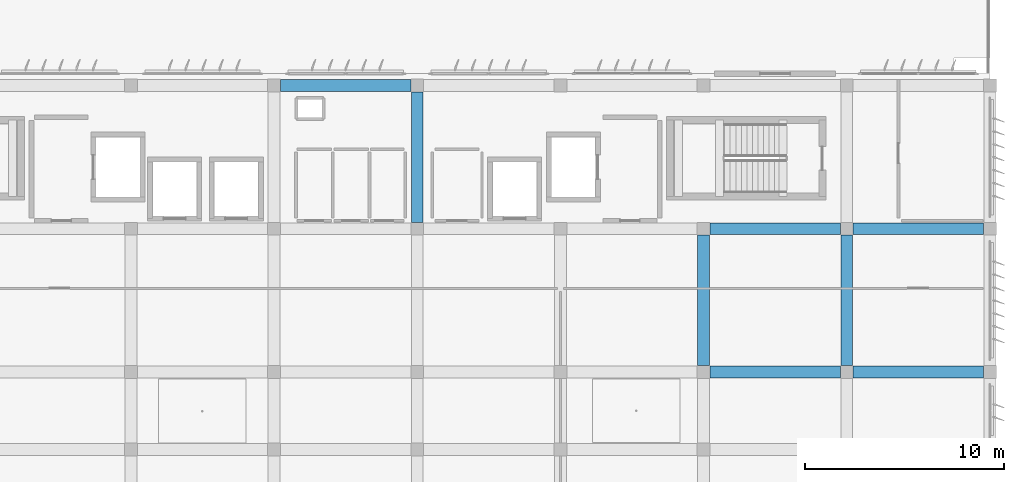
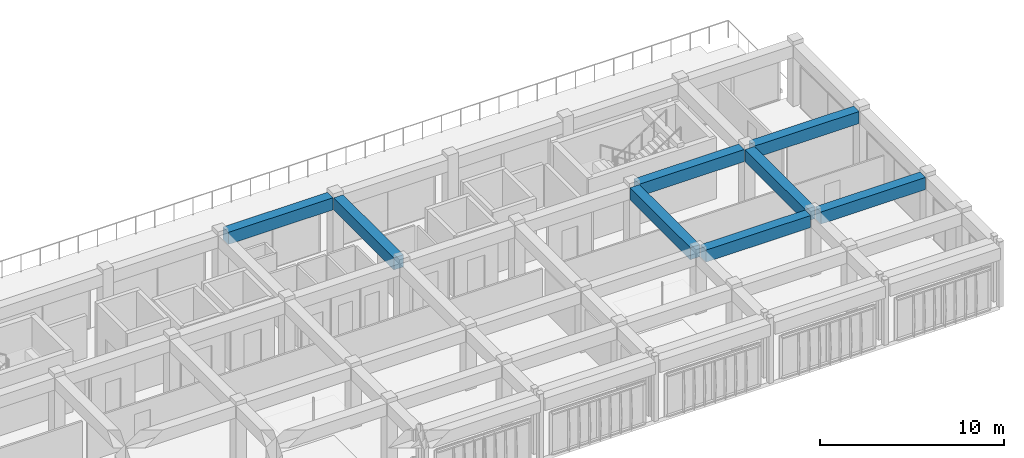
# One storey, part 19 of 42: 8 beams.
"""IFC4 building model written with IfcOpenShell, lengths in metres."""

import ifcopenshell
import ifcopenshell.guid

model = None  # the IFC model being written
_history = None  # IfcOwnerHistory: only IFC2X3 demands one
_inside = {}  # id of a spatial element -> (the spatial element, [elements in it])
_under = {}  # id of a project, library or spatial element -> (it, [spatial elements below it])
_declared = {}  # id of a project -> (the project, [libraries it declares])
_typed = {}  # id of a type object -> (the type object, [elements of that type])
_made_of = {}  # id of a material, layer set ... -> (it, [elements and type objects made of it])


def new_model(schema):
    """Start an empty IFC model of exactly this schema.

    Asked for "IFC4X3", IfcOpenShell would pick the latest addendum, in which some entities
    have other attributes; the version numbers below select the first issue.
    IFC2X3 requires an IfcOwnerHistory on every rooted entity: one is made here for all.
    """
    global model, _history
    if schema == "IFC4X3":
        model = ifcopenshell.file(schema_version=(4, 3, 0, 0))
    else:
        model = ifcopenshell.file(schema=schema)
    _inside.clear()
    _under.clear()
    _declared.clear()
    _typed.clear()
    _made_of.clear()
    _history = None
    if model.schema == "IFC2X3":
        org = make("IfcOrganization", Name="unknown")
        user = make(
            "IfcPersonAndOrganization",
            ThePerson=make("IfcPerson", FamilyName="unknown"),
            TheOrganization=org,
        )
        app = make(
            "IfcApplication",
            ApplicationDeveloper=org,
            Version="unknown",
            ApplicationFullName="unknown",
            ApplicationIdentifier="unknown",
        )
        _history = make(
            "IfcOwnerHistory",
            OwningUser=user,
            OwningApplication=app,
            ChangeAction="ADDED",
            CreationDate=0,
        )
    return model


def make(cls, **values):
    """One entity of the class cls with the attributes given. An attribute that is None is left unset."""
    return model.create_entity(
        cls, **{name: value for name, value in values.items() if value is not None}
    )


def rooted(cls, **values):
    """An entity with a GlobalId (a new one), such as an element, a storey or a relation."""
    return make(cls, GlobalId=ifcopenshell.guid.new(), OwnerHistory=_history, **values)


def si_unit(unit_type, name, prefix=None):
    """IfcSIUnit, for example si_unit("LENGTHUNIT", "METRE", prefix="MILLI")."""
    return make("IfcSIUnit", UnitType=unit_type, Prefix=prefix, Name=name)


def assignment(units):
    """IfcUnitAssignment: the units of a project."""
    return None if units is None else make("IfcUnitAssignment", Units=units)


def point(xyz):
    """IfcCartesianPoint."""
    return None if xyz is None else make("IfcCartesianPoint", Coordinates=xyz)


def direction(xyz):
    """IfcDirection."""
    return None if xyz is None else make("IfcDirection", DirectionRatios=xyz)


def frame(location, z_axis=None, x_axis=None):
    """IfcAxis2Placement3D, a coordinate frame: its origin and axes. An axis left out is left unset."""
    return make(
        "IfcAxis2Placement3D",
        Location=point(location),
        Axis=direction(z_axis),
        RefDirection=direction(x_axis),
    )


def frame_2d(location, x_axis=None):
    """IfcAxis2Placement2D, a coordinate frame in the plane: its origin and x axis."""
    return make(
        "IfcAxis2Placement2D", Location=point(location), RefDirection=direction(x_axis)
    )


def origin():
    """The frame at (0, 0, 0) with its axes left unset."""
    return frame((0.0, 0.0, 0.0))


def origin_2d():
    """The frame at (0, 0) in the plane with its x axis left unset."""
    return frame_2d((0.0, 0.0))


def place(relative_to, where):
    """IfcLocalPlacement: puts the frame where relative to a parent placement (None: the world)."""
    return make(
        "IfcLocalPlacement", PlacementRelTo=relative_to, RelativePlacement=where
    )


def context(
    kind, dimensions, precision=None, world=None, true_north=None, identifier=None
):
    """IfcGeometricRepresentationContext, for example the 3D "Model" context."""
    return make(
        "IfcGeometricRepresentationContext",
        ContextIdentifier=identifier,
        ContextType=kind,
        CoordinateSpaceDimension=dimensions,
        Precision=precision,
        WorldCoordinateSystem=world,
        TrueNorth=true_north,
    )


def subcontext(parent, identifier, kind, view, scale=None):
    """IfcGeometricRepresentationSubContext, for example "Body" below "Model"."""
    return make(
        "IfcGeometricRepresentationSubContext",
        ContextIdentifier=identifier,
        ContextType=kind,
        ParentContext=parent,
        TargetScale=scale,
        TargetView=view,
    )


def project(units=None, contexts=None):
    """IfcProject with its units and contexts."""
    return rooted(
        "IfcProject",
        Name="project",
        RepresentationContexts=contexts,
        UnitsInContext=assignment(units),
    )


def spatial(cls, under=None, at=None, **own):
    """A site, building, storey or space (cls), placed at a placement, below another one or the project."""
    s = rooted(cls, ObjectPlacement=at, **own)
    if under is not None:
        _under.setdefault(under.id(), (under, []))[1].append(s)
    return s


def profile(cls, at=None, kind="AREA", **sizes):
    """A parametric profile (cls). Its sizes go by their IFC names, for example OverallWidth=200.0."""
    return make(cls, ProfileType=kind, Position=at, **sizes)


def rectangle(**sizes):
    """IfcRectangleProfileDef."""
    return profile("IfcRectangleProfileDef", **sizes)


def extrude(swept, where, along, depth):
    """IfcExtrudedAreaSolid: the profile swept, set in the frame where, extruded along a direction by depth."""
    return make(
        "IfcExtrudedAreaSolid",
        SweptArea=swept,
        Position=where,
        ExtrudedDirection=direction(along),
        Depth=depth,
    )


def shape(context_of_items, identifier, shape_type, items):
    """IfcShapeRepresentation: the items that make up one representation, for example the "Body"."""
    return make(
        "IfcShapeRepresentation",
        ContextOfItems=context_of_items,
        RepresentationIdentifier=identifier,
        RepresentationType=shape_type,
        Items=items,
    )


def material(Name=None, Category=None):
    """IfcMaterial."""
    return make("IfcMaterial", Name=Name, Category=Category)


def material_profile(
    of_material, cross_section, Name=None, Category=None, Priority=None
):
    """IfcMaterialProfile: a cross section and its material."""
    return make(
        "IfcMaterialProfile",
        Name=Name,
        Material=of_material,
        Profile=cross_section,
        Priority=Priority,
        Category=Category,
    )


def profile_set(profiles, Name=None, composite=None):
    """IfcMaterialProfileSet."""
    return make(
        "IfcMaterialProfileSet",
        Name=Name,
        MaterialProfiles=profiles,
        CompositeProfile=composite,
    )


def made_of(thing, what):
    """Note that an element or type object is made of a material, layer set ...; save() writes the relation."""
    if what is not None:
        _made_of.setdefault(what.id(), (what, []))[1].append(thing)
    return thing


def type_object(cls, material=None, **own):
    """A type object (cls), such as IfcWallType, which elements share."""
    return made_of(rooted(cls, **own), material)


def element(
    cls,
    number,
    at=None,
    inside=None,
    cuts=None,
    type_object=None,
    material=None,
    context=None,
    identifier="Body",
    shape_type=None,
    held_by="IfcProductDefinitionShape",
    body=None,
    shapes=None,
    **own,
):
    """One element of the class cls, such as IfcWall. Its Tag is "e" and its number.

    at: its placement. inside: the storey or other place that contains it. cuts: it is an
    opening in that element (IfcRelVoidsElement). A single representation is given by context,
    identifier, shape_type and body (its items); several are given by shapes. held_by: the class
    of the entity that holds the representations. save() writes the other relations.
    """
    e = rooted(cls, Tag="e%d" % number, ObjectPlacement=at, **own)
    if body is not None:
        shapes = [shape(context, identifier, shape_type, body)]
    if shapes is not None:
        e.Representation = make(held_by, Representations=shapes)
    if inside is not None:
        _inside.setdefault(inside.id(), (inside, []))[1].append(e)
    if cuts is not None:
        rooted(
            "IfcRelVoidsElement", RelatingBuildingElement=cuts, RelatedOpeningElement=e
        )
    if type_object is not None:
        _typed.setdefault(type_object.id(), (type_object, []))[1].append(e)
    return made_of(e, material)


def aggregate(whole, parts):
    """IfcRelAggregates: a whole, such as a stair, and the parts it consists of."""
    return rooted("IfcRelAggregates", RelatingObject=whole, RelatedObjects=parts)


def save(model, path):
    """Write the relations noted so far, then the file.

    IfcRelAggregates (storeys below a building ...), IfcRelContainedInSpatialStructure (elements
    in a storey), IfcRelDefinesByType, IfcRelAssociatesMaterial and IfcRelDeclares: one each for
    every whole, place, type object, material and project.
    """
    for whole, parts in _under.values():
        aggregate(whole, parts)
    for where, things in _inside.values():
        rooted(
            "IfcRelContainedInSpatialStructure",
            RelatedElements=things,
            RelatingStructure=where,
        )
    for kind, things in _typed.values():
        rooted("IfcRelDefinesByType", RelatedObjects=things, RelatingType=kind)
    for what, things in _made_of.values():
        rooted("IfcRelAssociatesMaterial", RelatedObjects=things, RelatingMaterial=what)
    for by, libraries in _declared.values():
        rooted("IfcRelDeclares", RelatingContext=by, RelatedDefinitions=libraries)
    model.write(path)


model = new_model("IFC4")

# Units and contexts
model_context = context("Model", 3, precision=1e-05, world=origin(), true_north=direction((0.0, 1.0)))
body_context = subcontext(model_context, "Body", "Model", "MODEL_VIEW")
ifc_project = project(units=[si_unit("LENGTHUNIT", "METRE"), si_unit("AREAUNIT", "SQUARE_METRE"), si_unit("VOLUMEUNIT", "CUBIC_METRE"), si_unit("PLANEANGLEUNIT", "RADIAN"), si_unit("MASSUNIT", "GRAM", prefix="KILO")], contexts=[model_context])

# Site, building, storey
site_placement = place(None, origin())
site = spatial("IfcSite", under=ifc_project, at=site_placement, CompositionType="ELEMENT")
building_placement = place(site_placement, origin())
building = spatial("IfcBuilding", under=site, at=building_placement, Name="Kazehaya Institute of Natural Sciences", CompositionType="ELEMENT")
storey_placement = place(building_placement, frame((0.0, 0.0, 37.6201171875)))
storey = spatial("IfcBuildingStorey", under=building, at=storey_placement, Name="L08", CompositionType="ELEMENT", Elevation=37.6201171875)

# Beams
ifc_material = material(Name="Concrete Fc36", Category="concrete")
ifc_material_profile = material_profile(ifc_material, rectangle(XDim=0.60009765625, YDim=0.800048828125, at=origin_2d()), Name="RC-600x800")
ifc_profile_set = profile_set([ifc_material_profile], Name="Concrete Fc36")
beam_type = type_object("IfcBeamType", Name="BM-G-600x800", PredefinedType="BEAM", material=ifc_profile_set)
for number, where, z_axis, x_axis, name in (
    (1, (105.324951171875, 14.0, 3.64990234375), (1.0, 0.0, 0.0), (0.0, 1.0, 0.0), "L08 primary X girder BMX-L08-1050-140"),
    (2, (112.52490234375, 14.0, 3.64990234375), (1.0, 0.0, 0.0), (0.0, 1.0, 0.0), "L08 primary X girder BMX-L08-1122-140"),
    (3, (105.324951171875, 21.199951171875, 3.64990234375), (1.0, 0.0, 0.0), (0.0, 1.0, 0.0), "L08 primary X girder BMX-L08-1050-212"),
    (4, (112.52490234375, 21.199951171875, 3.64990234375), (1.0, 0.0, 0.0), (0.0, 1.0, 0.0), "L08 primary X girder BMX-L08-1122-212"),
):
    element("IfcBeam", number, at=place(storey_placement, frame(where, z_axis=z_axis, x_axis=x_axis)), inside=storey, type_object=beam_type, Name=name, PredefinedType="BEAM", context=body_context, shape_type="SweptSolid", body=[
        extrude(rectangle(XDim=0.60009765625, YDim=0.800048828125, at=origin_2d()), origin(), (0.0, 0.0, 1.0), 6.550048828125),
    ])
beam_placement = place(storey_placement, frame((83.72509765625, 28.39990234375, 3.64990234375), z_axis=(1.0, 0.0, 0.0), x_axis=(0.0, 1.0, 0.0)))
element("IfcBeam", 5, at=beam_placement, inside=storey, type_object=beam_type, Name="L08 primary X girder BMX-L08-834-284", PredefinedType="BEAM", context=body_context, shape_type="SweptSolid", body=[
    extrude(rectangle(XDim=0.60009765625, YDim=0.800048828125, at=origin_2d()), origin(), (0.0, 0.0, 1.0), 6.5498046875),
])
for number, where, z_axis, x_axis, name in (
    (6, (90.60009765625, 21.52490234375, 3.64990234375), (0.0, 1.0, 0.0), (-1.0, 0.0, 0.0), "L08 primary Y girder BMY-L08-906-212"),
    (7, (105.0, 14.324951171875, 3.64990234375), (0.0, 1.0, 0.0), (-1.0, 0.0, 0.0), "L08 primary Y girder BMY-L08-1050-140"),
    (8, (112.199951171875, 14.324951171875, 3.64990234375), (0.0, 1.0, 0.0), (-1.0, 0.0, 0.0), "L08 primary Y girder BMY-L08-1122-140"),
):
    element("IfcBeam", number, at=place(storey_placement, frame(where, z_axis=z_axis, x_axis=x_axis)), inside=storey, type_object=beam_type, Name=name, PredefinedType="BEAM", context=body_context, shape_type="SweptSolid", body=[
        extrude(rectangle(XDim=0.60009765625, YDim=0.800048828125, at=origin_2d()), origin(), (0.0, 0.0, 1.0), 6.550048828125),
    ])

save(model, "model.ifc")
